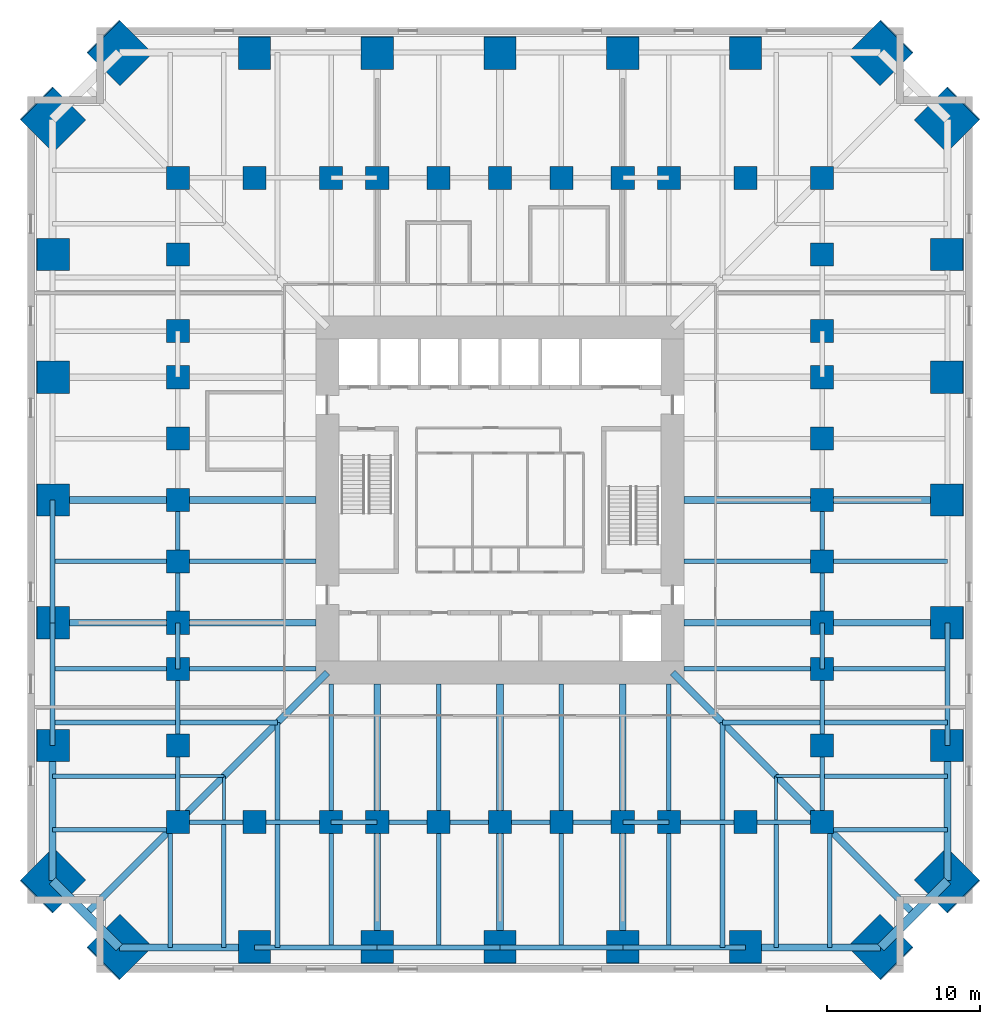
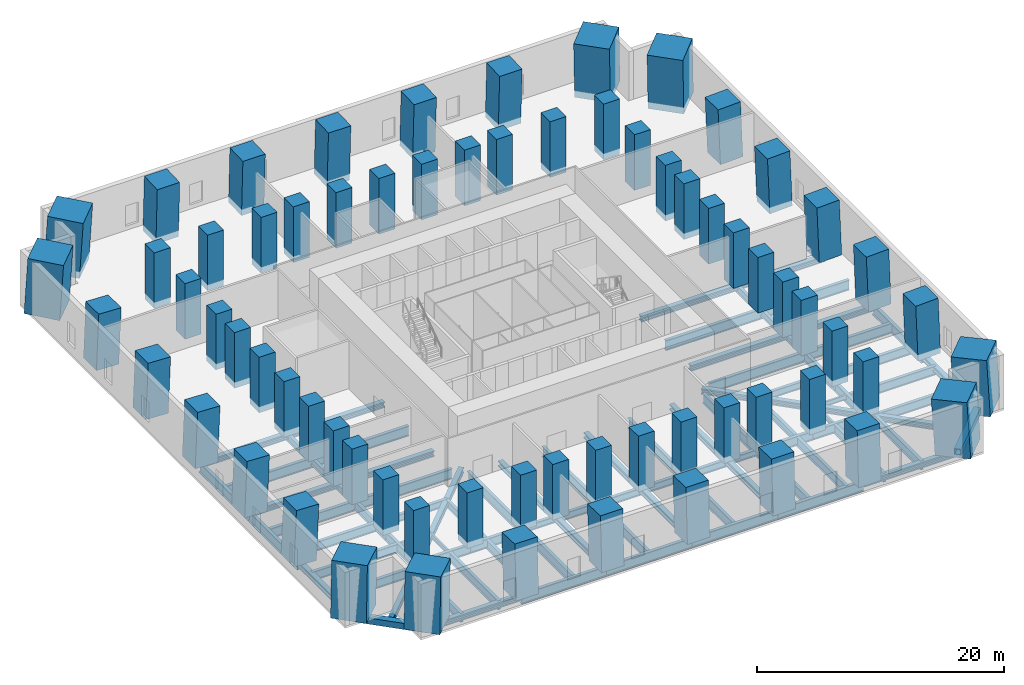
# One storey, part 1 of 8: 87 beams, 68 columns.
"""IFC4 building model written with IfcOpenShell, lengths in metres."""

from ifc_helpers import new_model, si_unit, direction, frame, origin, origin_2d, place, context, subcontext, project, spatial, rectangle, hollow_rectangle, i_section, extrude, material, material_profile, profile_set, type_object, element, save


model = new_model("IFC4")

# Units and contexts
model_context = context("Model", 3, precision=1e-05, world=origin(), true_north=direction((0.0, 1.0)))
body_context = subcontext(model_context, "Body", "Model", "MODEL_VIEW")
ifc_project = project(units=[si_unit("LENGTHUNIT", "METRE"), si_unit("AREAUNIT", "SQUARE_METRE"), si_unit("VOLUMEUNIT", "CUBIC_METRE"), si_unit("PLANEANGLEUNIT", "RADIAN"), si_unit("MASSUNIT", "GRAM", prefix="KILO")], contexts=[model_context])

# Site, building, storey
site_placement = place(None, origin())
site = spatial("IfcSite", under=ifc_project, at=site_placement, CompositionType="ELEMENT")
building_placement = place(site_placement, origin())
building = spatial("IfcBuilding", under=site, at=building_placement, Name="Peilmerk Tower", CompositionType="ELEMENT")
storey_placement = place(building_placement, frame((0.0, 0.0, 43.0)))
storey = spatial("IfcBuildingStorey", under=building, at=storey_placement, Name="L08", CompositionType="ELEMENT", Elevation=43.0)

# Columns
ifc_material_1 = material(Name="Concrete C90/105", Category="concrete")
ifc_material_profile_1 = material_profile(ifc_material_1, rectangle(XDim=3.0, YDim=3.0, at=origin_2d()), Name="RC 3000x3000")
ifc_profile_set_1 = profile_set([ifc_material_profile_1], Name="Concrete C90/105")
column_type_1 = type_object("IfcColumnType", Name="MC1 3000x3000 encased mega column", PredefinedType="COLUMN", material=ifc_profile_set_1)
for number, where, z_axis, x_axis, name in (
    (1, (24.81298828125, 29.162841796875, 0.0), (-0.040284325109, -0.04024000792, 0.998377641433), (0.706717512472, -0.707495835723, 0.0), "Mega column MC1 NE_N L08"),
    (2, (29.162841796875, 24.81298828125, 0.0), (-0.04024000792, -0.040284325109, 0.998377641433), (0.707495835723, -0.706717512472, 0.0), "Mega column MC1 NE_E L08"),
    (3, (29.162841796875, -24.81298828125, 0.0), (-0.04024000792, 0.040284325109, 0.998377641433), (-0.707495835723, -0.706717512472, 0.0), "Mega column MC1 SE_E L08"),
    (4, (24.81298828125, -29.162841796875, 0.0), (-0.040284325109, 0.04024000792, 0.998377641433), (-0.706717512472, -0.707495835723, 0.0), "Mega column MC1 SE_S L08"),
    (5, (-24.81298828125, -29.162841796875, 0.0), (0.040284325109, 0.04024000792, 0.998377641433), (-0.706717512472, 0.707495835723, 0.0), "Mega column MC1 SW_S L08"),
    (6, (-29.162841796875, -24.81298828125, 0.0), (0.04024000792, 0.040284325109, 0.998377641433), (-0.707495835723, 0.706717512472, 0.0), "Mega column MC1 SW_W L08"),
    (7, (-29.162841796875, 24.81298828125, 0.0), (0.04024000792, -0.040284325109, 0.998377641433), (0.707495835723, 0.706717512472, 0.0), "Mega column MC1 NW_W L08"),
    (8, (-24.81298828125, 29.162841796875, 0.0), (0.040284325109, -0.04024000792, 0.998377641433), (0.706717512472, 0.707495835723, 0.0), "Mega column MC1 NW_N L08"),
):
    element("IfcColumn", number, at=place(storey_placement, frame(where, z_axis=z_axis, x_axis=x_axis)), inside=storey, type_object=column_type_1, Name=name, PredefinedType="COLUMN", context=body_context, shape_type="SweptSolid", body=[
        extrude(rectangle(XDim=3.0, YDim=3.0, at=origin_2d()), origin(), (0.0, 0.0, 1.0), 5.509033203125),
    ])
ifc_material_profile_2 = material_profile(ifc_material_1, rectangle(XDim=2.10009765625, YDim=2.10009765625, at=origin_2d()), Name="RC 2100x2100")
ifc_profile_set_2 = profile_set([ifc_material_profile_2], Name="Concrete C90/105")
column_type_2 = type_object("IfcColumnType", Name="SC3 2100x2100 encased perimeter column", PredefinedType="COLUMN", material=ifc_profile_set_2)
for number, where, z_axis, x_axis, name in (
    (9, (0.0, 29.162841796875, 0.0), (0.0, -0.040272698997, 0.999188725775), (1.0, 0.0, 0.0), "Perimeter column N+0 L08"),
    (10, (8.0, 29.162841796875, 0.0), (0.0, -0.040272698997, 0.999188725775), (1.0, 0.0, 0.0), "Perimeter column N-8 L08"),
    (11, (-8.0, 29.162841796875, 0.0), (0.0, -0.040272698997, 0.999188725775), (1.0, 0.0, 0.0), "Perimeter column N+8 L08"),
    (12, (16.0, 29.162841796875, 0.0), (0.0, -0.040272698997, 0.999188725775), (1.0, 0.0, 0.0), "Perimeter column N-16 L08"),
    (13, (-16.0, 29.162841796875, 0.0), (0.0, -0.040272698997, 0.999188725775), (1.0, 0.0, 0.0), "Perimeter column N+16 L08"),
    (14, (29.162841796875, 0.0, 0.0), (-0.040272698997, 0.0, 0.999188725775), (0.0, -1.0, 0.0), "Perimeter column E+0 L08"),
    (15, (29.162841796875, -8.0, 0.0), (-0.040272698997, 0.0, 0.999188725775), (0.0, -1.0, 0.0), "Perimeter column E-8 L08"),
    (16, (29.162841796875, 8.0, 0.0), (-0.040272698997, 0.0, 0.999188725775), (0.0, -1.0, 0.0), "Perimeter column E+8 L08"),
    (17, (29.162841796875, -16.0, 0.0), (-0.040272698997, 0.0, 0.999188725775), (0.0, -1.0, 0.0), "Perimeter column E-16 L08"),
    (18, (29.162841796875, 16.0, 0.0), (-0.040272698997, 0.0, 0.999188725775), (0.0, -1.0, 0.0), "Perimeter column E+16 L08"),
    (19, (0.0, -29.162841796875, 0.0), (0.0, 0.040272698997, 0.999188725775), (-1.0, 0.0, 0.0), "Perimeter column S+0 L08"),
    (20, (-8.0, -29.162841796875, 0.0), (0.0, 0.040272698997, 0.999188725775), (-1.0, 0.0, 0.0), "Perimeter column S-8 L08"),
    (21, (8.0, -29.162841796875, 0.0), (0.0, 0.040272698997, 0.999188725775), (-1.0, 0.0, 0.0), "Perimeter column S+8 L08"),
    (22, (-16.0, -29.162841796875, 0.0), (0.0, 0.040272698997, 0.999188725775), (-1.0, 0.0, 0.0), "Perimeter column S-16 L08"),
    (23, (16.0, -29.162841796875, 0.0), (0.0, 0.040272698997, 0.999188725775), (-1.0, 0.0, 0.0), "Perimeter column S+16 L08"),
    (24, (-29.162841796875, 0.0, 0.0), (0.040272698997, 0.0, 0.999188725775), (0.0, 1.0, 0.0), "Perimeter column W+0 L08"),
    (25, (-29.162841796875, 8.0, 0.0), (0.040272698997, 0.0, 0.999188725775), (0.0, 1.0, 0.0), "Perimeter column W-8 L08"),
    (26, (-29.162841796875, -8.0, 0.0), (0.040272698997, 0.0, 0.999188725775), (0.0, 1.0, 0.0), "Perimeter column W+8 L08"),
    (27, (-29.162841796875, 16.0, 0.0), (0.040272698997, 0.0, 0.999188725775), (0.0, 1.0, 0.0), "Perimeter column W-16 L08"),
    (28, (-29.162841796875, -16.0, 0.0), (0.040272698997, 0.0, 0.999188725775), (0.0, 1.0, 0.0), "Perimeter column W+16 L08"),
):
    element("IfcColumn", number, at=place(storey_placement, frame(where, z_axis=z_axis, x_axis=x_axis)), inside=storey, type_object=column_type_2, Name=name, PredefinedType="COLUMN", context=body_context, shape_type="SweptSolid", body=[
        extrude(rectangle(XDim=2.10009765625, YDim=2.10009765625, at=origin_2d()), origin(), (0.0, 0.0, 1.0), 5.50439453125),
    ])
ifc_material_profile_3 = material_profile(ifc_material_1, rectangle(XDim=1.5, YDim=1.5, at=origin_2d()), Name="RC 1500x1500")
ifc_profile_set_3 = profile_set([ifc_material_profile_3], Name="Concrete C90/105")
column_type_3 = type_object("IfcColumnType", Name="SC4 1500x1500 encased interior column", PredefinedType="COLUMN", material=ifc_profile_set_3)
for number, where, z_axis, x_axis, name in (
    (29, (0.0, 21.0, 0.0), (0.0, 0.0, 1.0), (1.0, 0.0, 0.0), "Interior column N+0 L08"),
    (30, (4.0, 21.0, 0.0), (0.0, 0.0, 1.0), (1.0, 0.0, 0.0), "Interior column N-4 L08"),
    (31, (-4.0, 21.0, 0.0), (0.0, 0.0, 1.0), (1.0, 0.0, 0.0), "Interior column N+4 L08"),
    (32, (8.0, 21.0, 0.0), (0.0, 0.0, 1.0), (1.0, 0.0, 0.0), "Interior column N-8 L08"),
    (33, (-8.0, 21.0, 0.0), (0.0, 0.0, 1.0), (1.0, 0.0, 0.0), "Interior column N+8 L08"),
    (34, (11.0, 21.0, 0.0), (0.0, 0.0, 1.0), (1.0, 0.0, 0.0), "Interior column N-11 L08"),
    (35, (-11.0, 21.0, 0.0), (0.0, 0.0, 1.0), (1.0, 0.0, 0.0), "Interior column N+11 L08"),
    (36, (16.0, 21.0, 0.0), (0.0, 0.0, 1.0), (1.0, 0.0, 0.0), "Interior column N-16 L08"),
    (37, (-16.0, 21.0, 0.0), (0.0, 0.0, 1.0), (1.0, 0.0, 0.0), "Interior column N+16 L08"),
    (38, (21.0, 0.0, 0.0), (0.0, 0.0, 1.0), (1.0, 0.0, 0.0), "Interior column E+0 L08"),
    (39, (21.0, -4.0, 0.0), (0.0, 0.0, 1.0), (1.0, 0.0, 0.0), "Interior column E-4 L08"),
    (40, (21.0, 4.0, 0.0), (0.0, 0.0, 1.0), (1.0, 0.0, 0.0), "Interior column E+4 L08"),
    (41, (21.0, -8.0, 0.0), (0.0, 0.0, 1.0), (1.0, 0.0, 0.0), "Interior column E-8 L08"),
    (42, (21.0, 8.0, 0.0), (0.0, 0.0, 1.0), (1.0, 0.0, 0.0), "Interior column E+8 L08"),
    (43, (21.0, -11.0, 0.0), (0.0, 0.0, 1.0), (1.0, 0.0, 0.0), "Interior column E-11 L08"),
    (44, (21.0, 11.0, 0.0), (0.0, 0.0, 1.0), (1.0, 0.0, 0.0), "Interior column E+11 L08"),
    (45, (21.0, -16.0, 0.0), (0.0, 0.0, 1.0), (1.0, 0.0, 0.0), "Interior column E-16 L08"),
    (46, (21.0, 16.0, 0.0), (0.0, 0.0, 1.0), (1.0, 0.0, 0.0), "Interior column E+16 L08"),
    (47, (0.0, -21.0, 0.0), (0.0, 0.0, 1.0), (1.0, 0.0, 0.0), "Interior column S+0 L08"),
    (48, (-4.0, -21.0, 0.0), (0.0, 0.0, 1.0), (1.0, 0.0, 0.0), "Interior column S-4 L08"),
    (49, (4.0, -21.0, 0.0), (0.0, 0.0, 1.0), (1.0, 0.0, 0.0), "Interior column S+4 L08"),
    (50, (-8.0, -21.0, 0.0), (0.0, 0.0, 1.0), (1.0, 0.0, 0.0), "Interior column S-8 L08"),
    (51, (8.0, -21.0, 0.0), (0.0, 0.0, 1.0), (1.0, 0.0, 0.0), "Interior column S+8 L08"),
    (52, (-11.0, -21.0, 0.0), (0.0, 0.0, 1.0), (1.0, 0.0, 0.0), "Interior column S-11 L08"),
    (53, (11.0, -21.0, 0.0), (0.0, 0.0, 1.0), (1.0, 0.0, 0.0), "Interior column S+11 L08"),
    (54, (-16.0, -21.0, 0.0), (0.0, 0.0, 1.0), (1.0, 0.0, 0.0), "Interior column S-16 L08"),
    (55, (16.0, -21.0, 0.0), (0.0, 0.0, 1.0), (1.0, 0.0, 0.0), "Interior column S+16 L08"),
    (56, (-21.0, 0.0, 0.0), (0.0, 0.0, 1.0), (1.0, 0.0, 0.0), "Interior column W+0 L08"),
    (57, (-21.0, 4.0, 0.0), (0.0, 0.0, 1.0), (1.0, 0.0, 0.0), "Interior column W-4 L08"),
    (58, (-21.0, -4.0, 0.0), (0.0, 0.0, 1.0), (1.0, 0.0, 0.0), "Interior column W+4 L08"),
    (59, (-21.0, 8.0, 0.0), (0.0, 0.0, 1.0), (1.0, 0.0, 0.0), "Interior column W-8 L08"),
    (60, (-21.0, -8.0, 0.0), (0.0, 0.0, 1.0), (1.0, 0.0, 0.0), "Interior column W+8 L08"),
    (61, (-21.0, 11.0, 0.0), (0.0, 0.0, 1.0), (1.0, 0.0, 0.0), "Interior column W-11 L08"),
    (62, (-21.0, -11.0, 0.0), (0.0, 0.0, 1.0), (1.0, 0.0, 0.0), "Interior column W+11 L08"),
    (63, (-21.0, 16.0, 0.0), (0.0, 0.0, 1.0), (1.0, 0.0, 0.0), "Interior column W-16 L08"),
    (64, (-21.0, -16.0, 0.0), (0.0, 0.0, 1.0), (1.0, 0.0, 0.0), "Interior column W+16 L08"),
    (65, (21.0, 21.0, 0.0), (0.0, 0.0, 1.0), (1.0, 0.0, 0.0), "Interior column NE L08"),
    (66, (21.0, -21.0, 0.0), (0.0, 0.0, 1.0), (1.0, 0.0, 0.0), "Interior column SE L08"),
    (67, (-21.0, -21.0, 0.0), (0.0, 0.0, 1.0), (1.0, 0.0, 0.0), "Interior column SW L08"),
    (68, (-21.0, 21.0, 0.0), (0.0, 0.0, 1.0), (1.0, 0.0, 0.0), "Interior column NW L08"),
):
    element("IfcColumn", number, at=place(storey_placement, frame(where, z_axis=z_axis, x_axis=x_axis)), inside=storey, type_object=column_type_3, Name=name, PredefinedType="COLUMN", context=body_context, shape_type="SweptSolid", body=[
        extrude(rectangle(XDim=1.5, YDim=1.5, at=origin_2d()), origin(), (0.0, 0.0, 1.0), 5.5),
    ])

# Beams
ifc_material_2 = material(Name="Steel S355", Category="steel")
ifc_material_profile_4 = material_profile(ifc_material_2, i_section(OverallWidth=0.302001953125, OverallDepth=1.008056640625, WebThickness=0.02099609375, FlangeThickness=0.0400390625, at=origin_2d()), Name="HEM 1000")
ifc_profile_set_4 = profile_set([ifc_material_profile_4], Name="Steel S355")
beam_type_1 = type_object("IfcBeamType", Name="B1 HEM 1000 edge beam", PredefinedType="SPANDREL", material=ifc_profile_set_4)
for number, where, z_axis, x_axis, name in (
    (69, (29.162841796875, -16.0, -0.7041015625), (0.0, 1.0, 0.0), (-1.0, 0.0, 0.0), "Edge beam L08"),
    (70, (-16.0, -29.162841796875, -0.7041015625), (1.0, 0.0, 0.0), (0.0, 1.0, 0.0), "Edge beam L08"),
    (71, (-8.0, -29.162841796875, -0.7041015625), (1.0, 0.0, 0.0), (0.0, 1.0, 0.0), "Edge beam L08"),
    (72, (0.0, -29.162841796875, -0.7041015625), (1.0, 0.0, 0.0), (0.0, 1.0, 0.0), "Edge beam L08"),
    (73, (8.0, -29.162841796875, -0.7041015625), (1.0, 0.0, 0.0), (0.0, 1.0, 0.0), "Edge beam L08"),
    (74, (-29.162841796875, 0.0, -0.7041015625), (0.0, -1.0, 0.0), (1.0, 0.0, 0.0), "Edge beam L08"),
    (75, (-29.162841796875, -8.0, -0.7041015625), (0.0, -1.0, 0.0), (1.0, 0.0, 0.0), "Edge beam L08"),
):
    element("IfcBeam", number, at=place(storey_placement, frame(where, z_axis=z_axis, x_axis=x_axis)), inside=storey, type_object=beam_type_1, Name=name, PredefinedType="SPANDREL", context=body_context, shape_type="SweptSolid", body=[
        extrude(i_section(OverallWidth=0.302001953125, OverallDepth=1.008056640625, WebThickness=0.02099609375, FlangeThickness=0.0400390625, at=origin_2d()), origin(), (0.0, 0.0, 1.0), 8.0),
    ])
ifc_material_profile_5 = material_profile(ifc_material_2, i_section(OverallWidth=0.300048828125, OverallDepth=0.989990234375, WebThickness=0.0166015625, FlangeThickness=0.031005859375, at=origin_2d()), Name="HEA 1000")
ifc_profile_set_5 = profile_set([ifc_material_profile_5], Name="Steel S355")
beam_type_2 = type_object("IfcBeamType", Name="B14 HEA 1000 floor girder", PredefinedType="BEAM", material=ifc_profile_set_5)
for number, where, z_axis, x_axis, name in (
    (76, (21.0, -11.0, -0.695068359375), (1.0, 0.0, 0.0), (0.0, 1.0, 0.0), "Floor beam L08"),
    (77, (21.0, -4.0, -0.695068359375), (1.0, 0.0, 0.0), (0.0, 1.0, 0.0), "Floor beam L08"),
    (78, (-11.0, -21.0, -0.695068359375), (0.0, -1.0, 0.0), (1.0, 0.0, 0.0), "Floor beam L08"),
    (79, (-4.0, -21.0, -0.695068359375), (0.0, -1.0, 0.0), (1.0, 0.0, 0.0), "Floor beam L08"),
    (80, (4.0, -21.0, -0.695068359375), (0.0, -1.0, 0.0), (1.0, 0.0, 0.0), "Floor beam L08"),
    (81, (11.0, -21.0, -0.695068359375), (0.0, -1.0, 0.0), (1.0, 0.0, 0.0), "Floor beam L08"),
    (82, (-21.0, -4.0, -0.695068359375), (-1.0, 0.0, 0.0), (0.0, -1.0, 0.0), "Floor beam L08"),
    (83, (-21.0, -11.0, -0.695068359375), (-1.0, 0.0, 0.0), (0.0, -1.0, 0.0), "Floor beam L08"),
):
    element("IfcBeam", number, at=place(storey_placement, frame(where, z_axis=z_axis, x_axis=x_axis)), inside=storey, type_object=beam_type_2, Name=name, PredefinedType="BEAM", context=body_context, shape_type="SweptSolid", body=[
        extrude(i_section(OverallWidth=0.300048828125, OverallDepth=0.989990234375, WebThickness=0.0166015625, FlangeThickness=0.031005859375, at=origin_2d()), origin(), (0.0, 0.0, 1.0), 8.162841796875),
    ])
ifc_material_profile_6 = material_profile(ifc_material_2, i_section(OverallWidth=0.300048828125, OverallDepth=0.68994140625, WebThickness=0.014404296875, FlangeThickness=0.027099609375, at=origin_2d()), Name="HEA 700")
ifc_profile_set_6 = profile_set([ifc_material_profile_6], Name="Steel S355")
beam_type_3 = type_object("IfcBeamType", Name="B16 HEA 700 floor beam", PredefinedType="BEAM", material=ifc_profile_set_6)
for number, where, z_axis, x_axis, name in (
    (84, (14.5, -14.5, -0.544921875), (0.0, -1.0, 0.0), (1.0, 0.0, 0.0), "Floor beam L08"),
    (85, (14.5, -14.5, -0.544921875), (1.0, 0.0, 0.0), (0.0, 1.0, 0.0), "Floor beam L08"),
    (86, (-14.5, -14.5, -0.544921875), (0.0, -1.0, 0.0), (1.0, 0.0, 0.0), "Floor beam L08"),
    (87, (-14.5, -14.5, -0.544921875), (-1.0, 0.0, 0.0), (0.0, -1.0, 0.0), "Floor beam L08"),
):
    element("IfcBeam", number, at=place(storey_placement, frame(where, z_axis=z_axis, x_axis=x_axis)), inside=storey, type_object=beam_type_3, Name=name, PredefinedType="BEAM", context=body_context, shape_type="SweptSolid", body=[
        extrude(i_section(OverallWidth=0.300048828125, OverallDepth=0.68994140625, WebThickness=0.014404296875, FlangeThickness=0.027099609375, at=origin_2d()), origin(), (0.0, 0.0, 1.0), 6.34912109375),
    ])
ifc_material_3 = material(Name="Steel S460", Category="steel")
ifc_material_profile_7 = material_profile(ifc_material_3, i_section(OverallWidth=0.4541015625, OverallDepth=0.569091796875, WebThickness=0.077880859375, FlangeThickness=0.125, at=origin_2d()), Name="HD 400x1086")
ifc_profile_set_7 = profile_set([ifc_material_profile_7], Name="Steel S460")
beam_type_4 = type_object("IfcBeamType", Name="B17 HD 400x1086 edge beam", PredefinedType="SPANDREL", material=ifc_profile_set_7)
for number, where, z_axis, x_axis, name in (
    (88, (29.162841796875, -24.81298828125, -0.484619140625), (0.0, 1.0, 0.0), (-1.0, 0.0, 0.0), "Edge beam L08"),
    (89, (-24.81298828125, -29.162841796875, -0.484619140625), (1.0, 0.0, 0.0), (0.0, 1.0, 0.0), "Edge beam L08"),
    (90, (16.0, -29.162841796875, -0.484619140625), (1.0, 0.0, 0.0), (0.0, 1.0, 0.0), "Edge beam L08"),
    (91, (-29.162841796875, -16.0, -0.484619140625), (0.0, -1.0, 0.0), (1.0, 0.0, 0.0), "Edge beam L08"),
):
    element("IfcBeam", number, at=place(storey_placement, frame(where, z_axis=z_axis, x_axis=x_axis)), inside=storey, type_object=beam_type_4, Name=name, PredefinedType="SPANDREL", context=body_context, shape_type="SweptSolid", body=[
        extrude(i_section(OverallWidth=0.4541015625, OverallDepth=0.569091796875, WebThickness=0.077880859375, FlangeThickness=0.125, at=origin_2d()), origin(), (0.0, 0.0, 1.0), 8.81298828125),
    ])
ifc_material_profile_8 = material_profile(ifc_material_2, i_section(OverallWidth=0.302001953125, OverallDepth=0.909912109375, WebThickness=0.02099609375, FlangeThickness=0.0400390625, at=origin_2d()), Name="HEM 900")
ifc_profile_set_8 = profile_set([ifc_material_profile_8], Name="Steel S355")
beam_type_5 = type_object("IfcBeamType", Name="B18 HEM 900 ring girder", PredefinedType="BEAM", material=ifc_profile_set_8)
for number, where, z_axis, x_axis, name in (
    (92, (21.0, -21.0, -0.655029296875), (0.0, 1.0, 0.0), (-1.0, 0.0, 0.0), "Ring girder L08"),
    (93, (21.0, -16.0, -0.655029296875), (0.0, 1.0, 0.0), (-1.0, 0.0, 0.0), "Ring girder L08"),
    (94, (-21.0, -21.0, -0.655029296875), (1.0, 0.0, 0.0), (0.0, 1.0, 0.0), "Ring girder L08"),
    (95, (-16.0, -21.0, -0.655029296875), (1.0, 0.0, 0.0), (0.0, 1.0, 0.0), "Ring girder L08"),
    (96, (11.0, -21.0, -0.655029296875), (1.0, 0.0, 0.0), (0.0, 1.0, 0.0), "Ring girder L08"),
    (97, (16.0, -21.0, -0.655029296875), (1.0, 0.0, 0.0), (0.0, 1.0, 0.0), "Ring girder L08"),
    (98, (-21.0, -11.0, -0.655029296875), (0.0, -1.0, 0.0), (1.0, 0.0, 0.0), "Ring girder L08"),
    (99, (-21.0, -16.0, -0.655029296875), (0.0, -1.0, 0.0), (1.0, 0.0, 0.0), "Ring girder L08"),
):
    element("IfcBeam", number, at=place(storey_placement, frame(where, z_axis=z_axis, x_axis=x_axis)), inside=storey, type_object=beam_type_5, Name=name, PredefinedType="BEAM", context=body_context, shape_type="SweptSolid", body=[
        extrude(i_section(OverallWidth=0.302001953125, OverallDepth=0.909912109375, WebThickness=0.02099609375, FlangeThickness=0.0400390625, at=origin_2d()), origin(), (0.0, 0.0, 1.0), 5.0),
    ])
ifc_material_profile_9 = material_profile(ifc_material_2, i_section(OverallWidth=0.303955078125, OverallDepth=0.716064453125, WebThickness=0.02099609375, FlangeThickness=0.0400390625, at=origin_2d()), Name="HEM 700")
ifc_profile_set_9 = profile_set([ifc_material_profile_9], Name="Steel S355")
beam_type_6 = type_object("IfcBeamType", Name="B19 HEM 700 ring girder", PredefinedType="BEAM", material=ifc_profile_set_9)
for number, where, z_axis, x_axis, name in (
    (100, (21.0, -8.0, -0.55810546875), (0.0, 1.0, 0.0), (-1.0, 0.0, 0.0), "Ring girder L08"),
    (101, (21.0, -4.0, -0.55810546875), (0.0, 1.0, 0.0), (-1.0, 0.0, 0.0), "Ring girder L08"),
    (102, (-8.0, -21.0, -0.55810546875), (1.0, 0.0, 0.0), (0.0, 1.0, 0.0), "Ring girder L08"),
    (103, (-4.0, -21.0, -0.55810546875), (1.0, 0.0, 0.0), (0.0, 1.0, 0.0), "Ring girder L08"),
    (104, (0.0, -21.0, -0.55810546875), (1.0, 0.0, 0.0), (0.0, 1.0, 0.0), "Ring girder L08"),
    (105, (4.0, -21.0, -0.55810546875), (1.0, 0.0, 0.0), (0.0, 1.0, 0.0), "Ring girder L08"),
    (106, (-21.0, 0.0, -0.55810546875), (0.0, -1.0, 0.0), (1.0, 0.0, 0.0), "Ring girder L08"),
    (107, (-21.0, -4.0, -0.55810546875), (0.0, -1.0, 0.0), (1.0, 0.0, 0.0), "Ring girder L08"),
):
    element("IfcBeam", number, at=place(storey_placement, frame(where, z_axis=z_axis, x_axis=x_axis)), inside=storey, type_object=beam_type_6, Name=name, PredefinedType="BEAM", context=body_context, shape_type="SweptSolid", body=[
        extrude(i_section(OverallWidth=0.303955078125, OverallDepth=0.716064453125, WebThickness=0.02099609375, FlangeThickness=0.0400390625, at=origin_2d()), origin(), (0.0, 0.0, 1.0), 4.0),
    ])
ifc_material_profile_10 = material_profile(ifc_material_3, hollow_rectangle(XDim=0.60009765625, YDim=0.60009765625, WallThickness=0.06005859375, at=origin_2d()), Name="BOX 600x600x60")
ifc_profile_set_10 = profile_set([ifc_material_profile_10], Name="Steel S460")
beam_type_7 = type_object("IfcBeamType", Name="B20 BOX 600x600x60 notch beam", PredefinedType="SPANDREL", material=ifc_profile_set_10)
for number, where, z_axis, x_axis, name in (
    (108, (29.162841796875, -24.81298828125, -0.5), (-0.707106781187, -0.707106781187, 0.0), (0.707106781187, -0.707106781187, 0.0), "Notch beam L08"),
    (109, (-24.81298828125, -29.162841796875, -0.5), (-0.707106781187, 0.707106781187, 0.0), (-0.707106781187, -0.707106781187, 0.0), "Notch beam L08"),
):
    element("IfcBeam", number, at=place(storey_placement, frame(where, z_axis=z_axis, x_axis=x_axis)), inside=storey, type_object=beam_type_7, Name=name, PredefinedType="SPANDREL", context=body_context, shape_type="SweptSolid", body=[
        extrude(hollow_rectangle(XDim=0.60009765625, YDim=0.60009765625, WallThickness=0.06005859375, at=origin_2d()), origin(), (0.0, 0.0, 1.0), 6.151611328125),
    ])
ifc_material_profile_11 = material_profile(ifc_material_2, i_section(OverallWidth=0.18994140625, OverallDepth=0.449951171875, WebThickness=0.009521484375, FlangeThickness=0.0146484375, at=origin_2d()), Name="IPE 450")
ifc_profile_set_11 = profile_set([ifc_material_profile_11], Name="Steel S355")
beam_type_8 = type_object("IfcBeamType", Name="B21 IPE 450 floor beam", PredefinedType="BEAM", material=ifc_profile_set_11)
for number, where, z_axis, x_axis, name in (
    (110, (18.0, -18.0, -0.425048828125), (0.0, -1.0, 0.0), (1.0, 0.0, 0.0), "Floor beam L08"),
    (111, (18.0, -18.0, -0.425048828125), (1.0, 0.0, 0.0), (0.0, 1.0, 0.0), "Floor beam L08"),
    (112, (-18.0, -18.0, -0.425048828125), (0.0, -1.0, 0.0), (1.0, 0.0, 0.0), "Floor beam L08"),
    (113, (-18.0, -18.0, -0.425048828125), (-1.0, 0.0, 0.0), (0.0, -1.0, 0.0), "Floor beam L08"),
):
    element("IfcBeam", number, at=place(storey_placement, frame(where, z_axis=z_axis, x_axis=x_axis)), inside=storey, type_object=beam_type_8, Name=name, PredefinedType="BEAM", context=body_context, shape_type="SweptSolid", body=[
        extrude(i_section(OverallWidth=0.18994140625, OverallDepth=0.449951171875, WebThickness=0.009521484375, FlangeThickness=0.0146484375, at=origin_2d()), origin(), (0.0, 0.0, 1.0), 2.84912109375),
    ])
ifc_material_profile_12 = material_profile(ifc_material_2, i_section(OverallWidth=0.4541015625, OverallDepth=0.569091796875, WebThickness=0.077880859375, FlangeThickness=0.125, at=origin_2d()), Name="HD 400x1086")
ifc_profile_set_12 = profile_set([ifc_material_profile_12], Name="Steel S355")
beam_type_9 = type_object("IfcBeamType", Name="B22 HD 400x1086 floor girder", PredefinedType="BEAM", material=ifc_profile_set_12)
for number, where, z_axis, x_axis, name in (
    (114, (21.0, -8.0, -0.484619140625), (1.0, 0.0, 0.0), (0.0, 1.0, 0.0), "Floor girder L08"),
    (115, (21.0, 0.0, -0.484619140625), (1.0, 0.0, 0.0), (0.0, 1.0, 0.0), "Floor girder L08"),
    (116, (-8.0, -21.0, -0.484619140625), (0.0, -1.0, 0.0), (1.0, 0.0, 0.0), "Floor girder L08"),
    (117, (0.0, -21.0, -0.484619140625), (0.0, -1.0, 0.0), (1.0, 0.0, 0.0), "Floor girder L08"),
    (118, (8.0, -21.0, -0.484619140625), (0.0, -1.0, 0.0), (1.0, 0.0, 0.0), "Floor girder L08"),
    (119, (-21.0, 0.0, -0.484619140625), (-1.0, 0.0, 0.0), (0.0, -1.0, 0.0), "Floor girder L08"),
    (120, (-21.0, -8.0, -0.484619140625), (-1.0, 0.0, 0.0), (0.0, -1.0, 0.0), "Floor girder L08"),
):
    element("IfcBeam", number, at=place(storey_placement, frame(where, z_axis=z_axis, x_axis=x_axis)), inside=storey, type_object=beam_type_9, Name=name, PredefinedType="BEAM", context=body_context, shape_type="SweptSolid", body=[
        extrude(i_section(OverallWidth=0.4541015625, OverallDepth=0.569091796875, WebThickness=0.077880859375, FlangeThickness=0.125, at=origin_2d()), origin(), (0.0, 0.0, 1.0), 8.162841796875),
    ])
ifc_material_profile_13 = material_profile(ifc_material_2, i_section(OverallWidth=0.300048828125, OverallDepth=0.889892578125, WebThickness=0.01611328125, FlangeThickness=0.030029296875, at=origin_2d()), Name="HEA 900")
ifc_profile_set_13 = profile_set([ifc_material_profile_13], Name="Steel S355")
beam_type_10 = type_object("IfcBeamType", Name="B4 HEA 900 floor beam", PredefinedType="BEAM", material=ifc_profile_set_13)
for number, where, z_axis, x_axis, name in (
    (121, (14.5, -21.15087890625, -0.64501953125), (0.0, -1.0, 0.0), (1.0, 0.0, 0.0), "Floor beam L08"),
    (122, (21.15087890625, -14.5, -0.64501953125), (1.0, 0.0, 0.0), (0.0, 1.0, 0.0), "Floor beam L08"),
    (123, (18.0, -21.15087890625, -0.64501953125), (0.0, -1.0, 0.0), (1.0, 0.0, 0.0), "Floor beam L08"),
    (124, (21.15087890625, -18.0, -0.64501953125), (1.0, 0.0, 0.0), (0.0, 1.0, 0.0), "Floor beam L08"),
):
    element("IfcBeam", number, at=place(storey_placement, frame(where, z_axis=z_axis, x_axis=x_axis)), inside=storey, type_object=beam_type_10, Name=name, PredefinedType="BEAM", context=body_context, shape_type="SweptSolid", body=[
        extrude(i_section(OverallWidth=0.300048828125, OverallDepth=0.889892578125, WebThickness=0.01611328125, FlangeThickness=0.030029296875, at=origin_2d()), origin(), (0.0, 0.0, 1.0), 8.011962890625),
    ])
for number, where, z_axis, x_axis, name in (
    (125, (21.5, -21.5, -0.64501953125), (0.0, -1.0, 0.0), (1.0, 0.0, 0.0), "Floor beam L08"),
    (126, (21.5, -21.5, -0.64501953125), (1.0, 0.0, 0.0), (0.0, 1.0, 0.0), "Floor beam L08"),
):
    element("IfcBeam", number, at=place(storey_placement, frame(where, z_axis=z_axis, x_axis=x_axis)), inside=storey, type_object=beam_type_10, Name=name, PredefinedType="BEAM", context=body_context, shape_type="SweptSolid", body=[
        extrude(i_section(OverallWidth=0.300048828125, OverallDepth=0.889892578125, WebThickness=0.01611328125, FlangeThickness=0.030029296875, at=origin_2d()), origin(), (0.0, 0.0, 1.0), 7.662841796875),
    ])
for number, where, z_axis, x_axis, name in (
    (127, (-14.5, -21.15087890625, -0.64501953125), (0.0, -1.0, 0.0), (1.0, 0.0, 0.0), "Floor beam L08"),
    (128, (-21.15087890625, -14.5, -0.64501953125), (-1.0, 0.0, 0.0), (0.0, -1.0, 0.0), "Floor beam L08"),
    (129, (-18.0, -21.15087890625, -0.64501953125), (0.0, -1.0, 0.0), (1.0, 0.0, 0.0), "Floor beam L08"),
    (130, (-21.15087890625, -18.0, -0.64501953125), (-1.0, 0.0, 0.0), (0.0, -1.0, 0.0), "Floor beam L08"),
):
    element("IfcBeam", number, at=place(storey_placement, frame(where, z_axis=z_axis, x_axis=x_axis)), inside=storey, type_object=beam_type_10, Name=name, PredefinedType="BEAM", context=body_context, shape_type="SweptSolid", body=[
        extrude(i_section(OverallWidth=0.300048828125, OverallDepth=0.889892578125, WebThickness=0.01611328125, FlangeThickness=0.030029296875, at=origin_2d()), origin(), (0.0, 0.0, 1.0), 8.011962890625),
    ])
for number, where, z_axis, x_axis, name in (
    (131, (-21.5, -21.5, -0.64501953125), (0.0, -1.0, 0.0), (1.0, 0.0, 0.0), "Floor beam L08"),
    (132, (-21.5, -21.5, -0.64501953125), (-1.0, 0.0, 0.0), (0.0, -1.0, 0.0), "Floor beam L08"),
):
    element("IfcBeam", number, at=place(storey_placement, frame(where, z_axis=z_axis, x_axis=x_axis)), inside=storey, type_object=beam_type_10, Name=name, PredefinedType="BEAM", context=body_context, shape_type="SweptSolid", body=[
        extrude(i_section(OverallWidth=0.300048828125, OverallDepth=0.889892578125, WebThickness=0.01611328125, FlangeThickness=0.030029296875, at=origin_2d()), origin(), (0.0, 0.0, 1.0), 7.662841796875),
    ])
ifc_material_profile_14 = material_profile(ifc_material_2, i_section(OverallWidth=0.300048828125, OverallDepth=1.0, WebThickness=0.01904296875, FlangeThickness=0.035888671875, at=origin_2d()), Name="HEB 1000")
ifc_profile_set_14 = profile_set([ifc_material_profile_14], Name="Steel S355")
beam_type_11 = type_object("IfcBeamType", Name="B5 HEB 1000 floor girder", PredefinedType="BEAM", material=ifc_profile_set_14)
for number, where, z_axis, x_axis, name in (
    (133, (12.0, -11.0, -0.699951171875), (1.0, 0.0, 0.0), (0.0, 1.0, 0.0), "Floor beam L08"),
    (134, (12.0, -4.0, -0.699951171875), (1.0, 0.0, 0.0), (0.0, 1.0, 0.0), "Floor beam L08"),
    (135, (-11.0, -12.0, -0.699951171875), (0.0, -1.0, 0.0), (1.0, 0.0, 0.0), "Floor beam L08"),
    (136, (-4.0, -12.0, -0.699951171875), (0.0, -1.0, 0.0), (1.0, 0.0, 0.0), "Floor beam L08"),
    (137, (4.0, -12.0, -0.699951171875), (0.0, -1.0, 0.0), (1.0, 0.0, 0.0), "Floor beam L08"),
    (138, (11.0, -12.0, -0.699951171875), (0.0, -1.0, 0.0), (1.0, 0.0, 0.0), "Floor beam L08"),
    (139, (-12.0, -4.0, -0.699951171875), (-1.0, 0.0, 0.0), (0.0, -1.0, 0.0), "Floor beam L08"),
    (140, (-12.0, -11.0, -0.699951171875), (-1.0, 0.0, 0.0), (0.0, -1.0, 0.0), "Floor beam L08"),
):
    element("IfcBeam", number, at=place(storey_placement, frame(where, z_axis=z_axis, x_axis=x_axis)), inside=storey, type_object=beam_type_11, Name=name, PredefinedType="BEAM", context=body_context, shape_type="SweptSolid", body=[
        extrude(i_section(OverallWidth=0.300048828125, OverallDepth=1.0, WebThickness=0.01904296875, FlangeThickness=0.035888671875, at=origin_2d()), origin(), (0.0, 0.0, 1.0), 9.0),
    ])
ifc_material_profile_15 = material_profile(ifc_material_2, i_section(OverallWidth=0.304931640625, OverallDepth=0.6201171875, WebThickness=0.02099609375, FlangeThickness=0.0400390625, at=origin_2d()), Name="HEM 600")
ifc_profile_set_15 = profile_set([ifc_material_profile_15], Name="Steel S355")
beam_type_12 = type_object("IfcBeamType", Name="B6 HEM 600 ring girder", PredefinedType="BEAM", material=ifc_profile_set_15)
for number, where, z_axis, x_axis, name in (
    (141, (21.0, -11.0, -0.510009765625), (0.0, 1.0, 0.0), (-1.0, 0.0, 0.0), "Ring girder L08"),
    (142, (-11.0, -21.0, -0.510009765625), (1.0, 0.0, 0.0), (0.0, 1.0, 0.0), "Ring girder L08"),
    (143, (8.0, -21.0, -0.510009765625), (1.0, 0.0, 0.0), (0.0, 1.0, 0.0), "Ring girder L08"),
    (144, (-21.0, -8.0, -0.510009765625), (0.0, -1.0, 0.0), (1.0, 0.0, 0.0), "Ring girder L08"),
):
    element("IfcBeam", number, at=place(storey_placement, frame(where, z_axis=z_axis, x_axis=x_axis)), inside=storey, type_object=beam_type_12, Name=name, PredefinedType="BEAM", context=body_context, shape_type="SweptSolid", body=[
        extrude(i_section(OverallWidth=0.304931640625, OverallDepth=0.6201171875, WebThickness=0.02099609375, FlangeThickness=0.0400390625, at=origin_2d()), origin(), (0.0, 0.0, 1.0), 3.0),
    ])
ifc_material_profile_16 = material_profile(ifc_material_3, i_section(OverallWidth=0.4541015625, OverallDepth=0.569091796875, WebThickness=0.077880859375, FlangeThickness=0.125, at=origin_2d()), Name="HD 400x1086")
ifc_profile_set_16 = profile_set([ifc_material_profile_16], Name="Steel S460")
beam_type_13 = type_object("IfcBeamType", Name="B9 HD 400x1086 corner girder", PredefinedType="BEAM", material=ifc_profile_set_16)
for number, where, z_axis, x_axis, name in (
    (145, (12.0, -8.0, -0.484619140625), (1.0, 0.0, 0.0), (0.0, 1.0, 0.0), "Floor girder L08"),
    (146, (12.0, 0.0, -0.484619140625), (1.0, 0.0, 0.0), (0.0, 1.0, 0.0), "Floor girder L08"),
    (147, (-8.0, -12.0, -0.484619140625), (0.0, -1.0, 0.0), (1.0, 0.0, 0.0), "Floor girder L08"),
    (148, (0.0, -12.0, -0.484619140625), (0.0, -1.0, 0.0), (1.0, 0.0, 0.0), "Floor girder L08"),
    (149, (8.0, -12.0, -0.484619140625), (0.0, -1.0, 0.0), (1.0, 0.0, 0.0), "Floor girder L08"),
    (150, (-12.0, 0.0, -0.484619140625), (-1.0, 0.0, 0.0), (0.0, -1.0, 0.0), "Floor girder L08"),
    (151, (-12.0, -8.0, -0.484619140625), (-1.0, 0.0, 0.0), (0.0, -1.0, 0.0), "Floor girder L08"),
):
    element("IfcBeam", number, at=place(storey_placement, frame(where, z_axis=z_axis, x_axis=x_axis)), inside=storey, type_object=beam_type_13, Name=name, PredefinedType="BEAM", context=body_context, shape_type="SweptSolid", body=[
        extrude(i_section(OverallWidth=0.4541015625, OverallDepth=0.569091796875, WebThickness=0.077880859375, FlangeThickness=0.125, at=origin_2d()), origin(), (0.0, 0.0, 1.0), 9.0),
    ])
beam_1_placement = place(storey_placement, frame((11.25, -11.25, -0.484619140625), z_axis=(0.707106781187, -0.707106781187, 0.0), x_axis=(0.707106781187, 0.707106781187, 0.0)))
element("IfcBeam", 152, at=beam_1_placement, inside=storey, type_object=beam_type_13, Name="Corner girder L08", PredefinedType="BEAM", context=body_context, shape_type="SweptSolid", body=[
    extrude(i_section(OverallWidth=0.4541015625, OverallDepth=0.569091796875, WebThickness=0.077880859375, FlangeThickness=0.125, at=origin_2d()), origin(), (0.0, 0.0, 1.0), 13.78857421875),
])
beam_2_placement = place(storey_placement, frame((21.0, -21.0, -0.484619140625), z_axis=(0.707106781187, -0.707106781187, 0.0), x_axis=(0.707106781187, 0.707106781187, 0.0)))
element("IfcBeam", 153, at=beam_2_placement, inside=storey, type_object=beam_type_13, Name="Corner girder L08", PredefinedType="BEAM", context=body_context, shape_type="SweptSolid", body=[
    extrude(i_section(OverallWidth=0.4541015625, OverallDepth=0.569091796875, WebThickness=0.077880859375, FlangeThickness=0.125, at=origin_2d()), origin(), (0.0, 0.0, 1.0), 8.468017578125),
])
beam_3_placement = place(storey_placement, frame((-11.25, -11.25, -0.484619140625), z_axis=(-0.707106781187, -0.707106781187, 0.0), x_axis=(0.707106781187, -0.707106781187, 0.0)))
element("IfcBeam", 154, at=beam_3_placement, inside=storey, type_object=beam_type_13, Name="Corner girder L08", PredefinedType="BEAM", context=body_context, shape_type="SweptSolid", body=[
    extrude(i_section(OverallWidth=0.4541015625, OverallDepth=0.569091796875, WebThickness=0.077880859375, FlangeThickness=0.125, at=origin_2d()), origin(), (0.0, 0.0, 1.0), 13.78857421875),
])
beam_4_placement = place(storey_placement, frame((-21.0, -21.0, -0.484619140625), z_axis=(-0.707106781187, -0.707106781187, 0.0), x_axis=(0.707106781187, -0.707106781187, 0.0)))
element("IfcBeam", 155, at=beam_4_placement, inside=storey, type_object=beam_type_13, Name="Corner girder L08", PredefinedType="BEAM", context=body_context, shape_type="SweptSolid", body=[
    extrude(i_section(OverallWidth=0.4541015625, OverallDepth=0.569091796875, WebThickness=0.077880859375, FlangeThickness=0.125, at=origin_2d()), origin(), (0.0, 0.0, 1.0), 8.468017578125),
])

save(model, "model.ifc")
